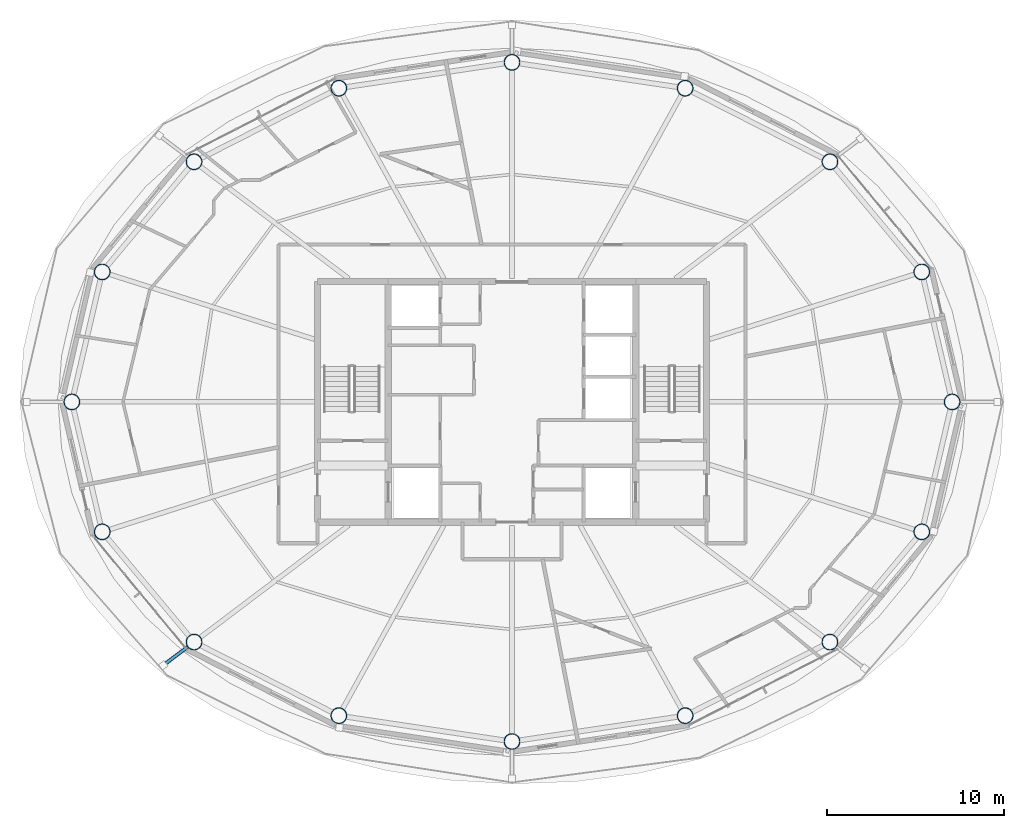
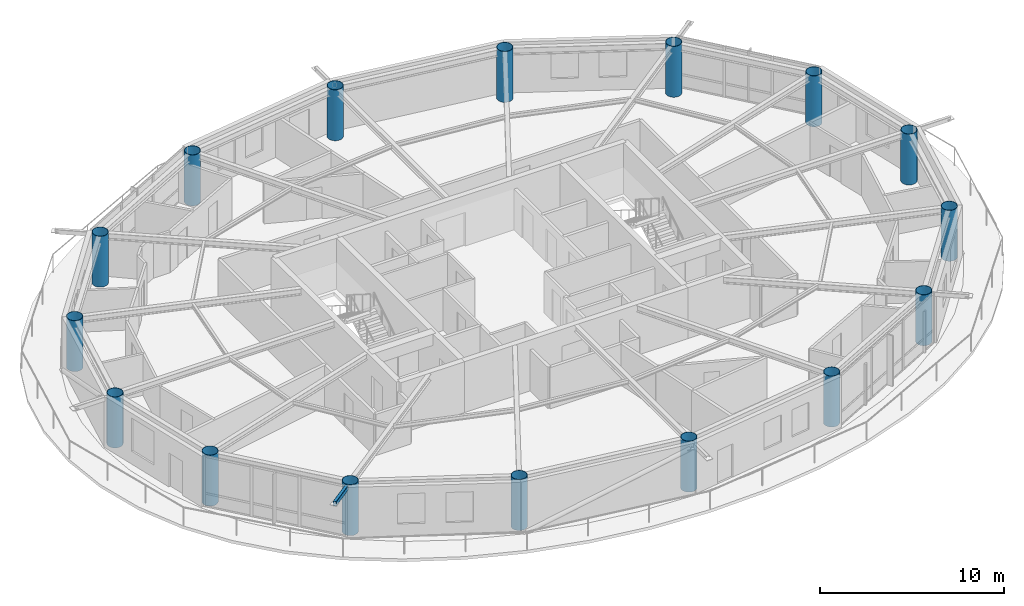
# One storey, part 1 of 21: 16 columns, 1 member.
"""IFC4 building model written with IfcOpenShell, lengths in metres."""

import ifcopenshell
import ifcopenshell.guid

model = None  # the IFC model being written
_history = None  # IfcOwnerHistory: only IFC2X3 demands one
_inside = {}  # id of a spatial element -> (the spatial element, [elements in it])
_under = {}  # id of a project, library or spatial element -> (it, [spatial elements below it])
_declared = {}  # id of a project -> (the project, [libraries it declares])
_typed = {}  # id of a type object -> (the type object, [elements of that type])
_made_of = {}  # id of a material, layer set ... -> (it, [elements and type objects made of it])


def new_model(schema):
    """Start an empty IFC model of exactly this schema.

    Asked for "IFC4X3", IfcOpenShell would pick the latest addendum, in which some entities
    have other attributes; the version numbers below select the first issue.
    IFC2X3 requires an IfcOwnerHistory on every rooted entity: one is made here for all.
    """
    global model, _history
    if schema == "IFC4X3":
        model = ifcopenshell.file(schema_version=(4, 3, 0, 0))
    else:
        model = ifcopenshell.file(schema=schema)
    _inside.clear()
    _under.clear()
    _declared.clear()
    _typed.clear()
    _made_of.clear()
    _history = None
    if model.schema == "IFC2X3":
        org = make("IfcOrganization", Name="unknown")
        user = make(
            "IfcPersonAndOrganization",
            ThePerson=make("IfcPerson", FamilyName="unknown"),
            TheOrganization=org,
        )
        app = make(
            "IfcApplication",
            ApplicationDeveloper=org,
            Version="unknown",
            ApplicationFullName="unknown",
            ApplicationIdentifier="unknown",
        )
        _history = make(
            "IfcOwnerHistory",
            OwningUser=user,
            OwningApplication=app,
            ChangeAction="ADDED",
            CreationDate=0,
        )
    return model


def make(cls, **values):
    """One entity of the class cls with the attributes given. An attribute that is None is left unset."""
    return model.create_entity(
        cls, **{name: value for name, value in values.items() if value is not None}
    )


def rooted(cls, **values):
    """An entity with a GlobalId (a new one), such as an element, a storey or a relation."""
    return make(cls, GlobalId=ifcopenshell.guid.new(), OwnerHistory=_history, **values)


def si_unit(unit_type, name, prefix=None):
    """IfcSIUnit, for example si_unit("LENGTHUNIT", "METRE", prefix="MILLI")."""
    return make("IfcSIUnit", UnitType=unit_type, Prefix=prefix, Name=name)


def assignment(units):
    """IfcUnitAssignment: the units of a project."""
    return None if units is None else make("IfcUnitAssignment", Units=units)


def point(xyz):
    """IfcCartesianPoint."""
    return None if xyz is None else make("IfcCartesianPoint", Coordinates=xyz)


def direction(xyz):
    """IfcDirection."""
    return None if xyz is None else make("IfcDirection", DirectionRatios=xyz)


def frame(location, z_axis=None, x_axis=None):
    """IfcAxis2Placement3D, a coordinate frame: its origin and axes. An axis left out is left unset."""
    return make(
        "IfcAxis2Placement3D",
        Location=point(location),
        Axis=direction(z_axis),
        RefDirection=direction(x_axis),
    )


def frame_2d(location, x_axis=None):
    """IfcAxis2Placement2D, a coordinate frame in the plane: its origin and x axis."""
    return make(
        "IfcAxis2Placement2D", Location=point(location), RefDirection=direction(x_axis)
    )


def origin():
    """The frame at (0, 0, 0) with its axes left unset."""
    return frame((0.0, 0.0, 0.0))


def origin_2d():
    """The frame at (0, 0) in the plane with its x axis left unset."""
    return frame_2d((0.0, 0.0))


def place(relative_to, where):
    """IfcLocalPlacement: puts the frame where relative to a parent placement (None: the world)."""
    return make(
        "IfcLocalPlacement", PlacementRelTo=relative_to, RelativePlacement=where
    )


def context(
    kind, dimensions, precision=None, world=None, true_north=None, identifier=None
):
    """IfcGeometricRepresentationContext, for example the 3D "Model" context."""
    return make(
        "IfcGeometricRepresentationContext",
        ContextIdentifier=identifier,
        ContextType=kind,
        CoordinateSpaceDimension=dimensions,
        Precision=precision,
        WorldCoordinateSystem=world,
        TrueNorth=true_north,
    )


def subcontext(parent, identifier, kind, view, scale=None):
    """IfcGeometricRepresentationSubContext, for example "Body" below "Model"."""
    return make(
        "IfcGeometricRepresentationSubContext",
        ContextIdentifier=identifier,
        ContextType=kind,
        ParentContext=parent,
        TargetScale=scale,
        TargetView=view,
    )


def project(units=None, contexts=None):
    """IfcProject with its units and contexts."""
    return rooted(
        "IfcProject",
        Name="project",
        RepresentationContexts=contexts,
        UnitsInContext=assignment(units),
    )


def spatial(cls, under=None, at=None, **own):
    """A site, building, storey or space (cls), placed at a placement, below another one or the project."""
    s = rooted(cls, ObjectPlacement=at, **own)
    if under is not None:
        _under.setdefault(under.id(), (under, []))[1].append(s)
    return s


def profile(cls, at=None, kind="AREA", **sizes):
    """A parametric profile (cls). Its sizes go by their IFC names, for example OverallWidth=200.0."""
    return make(cls, ProfileType=kind, Position=at, **sizes)


def hollow_rectangle(**sizes):
    """IfcRectangleHollowProfileDef."""
    return profile("IfcRectangleHollowProfileDef", **sizes)


def hollow_circle(**sizes):
    """IfcCircleHollowProfileDef."""
    return profile("IfcCircleHollowProfileDef", **sizes)


def extrude(swept, where, along, depth):
    """IfcExtrudedAreaSolid: the profile swept, set in the frame where, extruded along a direction by depth."""
    return make(
        "IfcExtrudedAreaSolid",
        SweptArea=swept,
        Position=where,
        ExtrudedDirection=direction(along),
        Depth=depth,
    )


def shape(context_of_items, identifier, shape_type, items):
    """IfcShapeRepresentation: the items that make up one representation, for example the "Body"."""
    return make(
        "IfcShapeRepresentation",
        ContextOfItems=context_of_items,
        RepresentationIdentifier=identifier,
        RepresentationType=shape_type,
        Items=items,
    )


def material(Name=None, Category=None):
    """IfcMaterial."""
    return make("IfcMaterial", Name=Name, Category=Category)


def material_profile(
    of_material, cross_section, Name=None, Category=None, Priority=None
):
    """IfcMaterialProfile: a cross section and its material."""
    return make(
        "IfcMaterialProfile",
        Name=Name,
        Material=of_material,
        Profile=cross_section,
        Priority=Priority,
        Category=Category,
    )


def profile_set(profiles, Name=None, composite=None):
    """IfcMaterialProfileSet."""
    return make(
        "IfcMaterialProfileSet",
        Name=Name,
        MaterialProfiles=profiles,
        CompositeProfile=composite,
    )


def made_of(thing, what):
    """Note that an element or type object is made of a material, layer set ...; save() writes the relation."""
    if what is not None:
        _made_of.setdefault(what.id(), (what, []))[1].append(thing)
    return thing


def type_object(cls, material=None, **own):
    """A type object (cls), such as IfcWallType, which elements share."""
    return made_of(rooted(cls, **own), material)


def element(
    cls,
    number,
    at=None,
    inside=None,
    cuts=None,
    type_object=None,
    material=None,
    context=None,
    identifier="Body",
    shape_type=None,
    held_by="IfcProductDefinitionShape",
    body=None,
    shapes=None,
    **own,
):
    """One element of the class cls, such as IfcWall. Its Tag is "e" and its number.

    at: its placement. inside: the storey or other place that contains it. cuts: it is an
    opening in that element (IfcRelVoidsElement). A single representation is given by context,
    identifier, shape_type and body (its items); several are given by shapes. held_by: the class
    of the entity that holds the representations. save() writes the other relations.
    """
    e = rooted(cls, Tag="e%d" % number, ObjectPlacement=at, **own)
    if body is not None:
        shapes = [shape(context, identifier, shape_type, body)]
    if shapes is not None:
        e.Representation = make(held_by, Representations=shapes)
    if inside is not None:
        _inside.setdefault(inside.id(), (inside, []))[1].append(e)
    if cuts is not None:
        rooted(
            "IfcRelVoidsElement", RelatingBuildingElement=cuts, RelatedOpeningElement=e
        )
    if type_object is not None:
        _typed.setdefault(type_object.id(), (type_object, []))[1].append(e)
    return made_of(e, material)


def aggregate(whole, parts):
    """IfcRelAggregates: a whole, such as a stair, and the parts it consists of."""
    return rooted("IfcRelAggregates", RelatingObject=whole, RelatedObjects=parts)


def save(model, path):
    """Write the relations noted so far, then the file.

    IfcRelAggregates (storeys below a building ...), IfcRelContainedInSpatialStructure (elements
    in a storey), IfcRelDefinesByType, IfcRelAssociatesMaterial and IfcRelDeclares: one each for
    every whole, place, type object, material and project.
    """
    for whole, parts in _under.values():
        aggregate(whole, parts)
    for where, things in _inside.values():
        rooted(
            "IfcRelContainedInSpatialStructure",
            RelatedElements=things,
            RelatingStructure=where,
        )
    for kind, things in _typed.values():
        rooted("IfcRelDefinesByType", RelatedObjects=things, RelatingType=kind)
    for what, things in _made_of.values():
        rooted("IfcRelAssociatesMaterial", RelatedObjects=things, RelatingMaterial=what)
    for by, libraries in _declared.values():
        rooted("IfcRelDeclares", RelatingContext=by, RelatedDefinitions=libraries)
    model.write(path)


model = new_model("IFC4")

# Units and contexts
model_context = context("Model", 3, precision=1e-05, world=origin(), true_north=direction((0.0, 1.0)))
body_context = subcontext(model_context, "Body", "Model", "MODEL_VIEW")
ifc_project = project(units=[si_unit("LENGTHUNIT", "METRE"), si_unit("AREAUNIT", "SQUARE_METRE"), si_unit("VOLUMEUNIT", "CUBIC_METRE"), si_unit("PLANEANGLEUNIT", "RADIAN"), si_unit("MASSUNIT", "GRAM", prefix="KILO")], contexts=[model_context])

# Site, building, storey
site_placement = place(None, origin())
site = spatial("IfcSite", under=ifc_project, at=site_placement, CompositionType="ELEMENT")
building_placement = place(site_placement, origin())
building = spatial("IfcBuilding", under=site, at=building_placement, Name="Sarneth Arch Tower", CompositionType="ELEMENT")
storey_placement = place(building_placement, frame((0.0, 0.0, 309.0)))
storey = spatial("IfcBuildingStorey", under=building, at=storey_placement, Name="L80", CompositionType="ELEMENT", Elevation=309.0)

# Columns
ifc_material_1 = material(Name="Steel S355", Category="steel")
ifc_material_profile_1 = material_profile(ifc_material_1, hollow_circle(Radius=0.449951171875, WallThickness=0.02490234375, at=origin_2d()), Name="CHS900x25")
ifc_profile_set_1 = profile_set([ifc_material_profile_1], Name="Steel S355")
column_type = type_object("IfcColumnType", Name="COL-MEGA-900", PredefinedType="COLUMN", material=ifc_profile_set_1)
for number, where, z_axis, x_axis, name in (
    (1, (72.88330078125, 42.0, 0.0), (0.0, 0.0, 1.0), (1.0, 0.0, 0.0), "L80 Perimeter mega-column M01"),
    (2, (71.1689453125, 49.347412109375, 0.0), (0.0, 0.0, 1.0), (1.0, 0.0, 0.0), "L80 Perimeter mega-column M02"),
    (3, (65.975341796875, 55.576416015625, 0.0), (0.0, 0.0, 1.0), (1.0, 0.0, 0.0), "L80 Perimeter mega-column M03"),
    (4, (57.790771484375, 59.738525390625, 0.0), (0.0, 0.0, 1.0), (1.0, 0.0, 0.0), "L80 Perimeter mega-column M04"),
    (5, (48.0, 61.199951171875, 0.0), (0.0, 0.0, 1.0), (1.0, 0.0, 0.0), "L80 Perimeter mega-column M05"),
    (6, (38.209228515625, 59.738525390625, 0.0), (0.0, 0.0, 1.0), (1.0, 0.0, 0.0), "L80 Perimeter mega-column M06"),
    (7, (30.024658203125, 55.576416015625, 0.0), (0.0, 0.0, 1.0), (1.0, 0.0, 0.0), "L80 Perimeter mega-column M07"),
    (8, (24.8310546875, 49.347412109375, 0.0), (0.0, 0.0, 1.0), (1.0, 0.0, 0.0), "L80 Perimeter mega-column M08"),
    (9, (23.11669921875, 42.0, 0.0), (0.0, 0.0, 1.0), (1.0, 0.0, 0.0), "L80 Perimeter mega-column M09"),
    (10, (24.8310546875, 34.652587890625, 0.0), (0.0, 0.0, 1.0), (1.0, 0.0, 0.0), "L80 Perimeter mega-column M10"),
    (11, (30.024658203125, 28.423583984375, 0.0), (0.0, 0.0, 1.0), (1.0, 0.0, 0.0), "L80 Perimeter mega-column M11"),
    (12, (38.209228515625, 24.261474609375, 0.0), (0.0, 0.0, 1.0), (1.0, 0.0, 0.0), "L80 Perimeter mega-column M12"),
    (13, (48.0, 22.800048828125, 0.0), (0.0, 0.0, 1.0), (1.0, 0.0, 0.0), "L80 Perimeter mega-column M13"),
    (14, (57.790771484375, 24.261474609375, 0.0), (0.0, 0.0, 1.0), (1.0, 0.0, 0.0), "L80 Perimeter mega-column M14"),
    (15, (65.975341796875, 28.423583984375, 0.0), (0.0, 0.0, 1.0), (1.0, 0.0, 0.0), "L80 Perimeter mega-column M15"),
    (16, (71.1689453125, 34.652587890625, 0.0), (0.0, 0.0, 1.0), (1.0, 0.0, 0.0), "L80 Perimeter mega-column M16"),
):
    element("IfcColumn", number, at=place(storey_placement, frame(where, z_axis=z_axis, x_axis=x_axis)), inside=storey, type_object=column_type, Name=name, PredefinedType="COLUMN", context=body_context, shape_type="SweptSolid", body=[
        extrude(hollow_circle(Radius=0.449951171875, WallThickness=0.02490234375, at=origin_2d()), origin(), (0.0, 0.0, 1.0), 3.3701171875),
    ])

# Member
ifc_material_2 = material(Name="Steel S355", Category="steel")
ifc_material_profile_2 = material_profile(ifc_material_2, hollow_rectangle(XDim=0.199951171875, YDim=0.300048828125, WallThickness=0.012451171875, InnerFilletRadius=0.018798828125, OuterFilletRadius=0.03125, at=origin_2d()), Name="RHS300x200x12.5")
ifc_profile_set_2 = profile_set([ifc_material_profile_2], Name="Steel S355")
member_type = type_object("IfcMemberType", Name="MEM-CANT-STRUT", PredefinedType="STRUT", material=ifc_profile_set_2)
member_placement = place(storey_placement, frame((29.665771484375, 28.15234375, 3.2099609375), z_axis=(-0.797962382374, -0.602707255901, 0.0), x_axis=(0.602707255901, -0.797962382374, 0.0)))
element("IfcMember", 17, at=member_placement, inside=storey, type_object=member_type, Name="L80 Balcony cantilever bracket 11", PredefinedType="STRUT", context=body_context, shape_type="SweptSolid", body=[
    extrude(hollow_rectangle(XDim=0.199951171875, YDim=0.300048828125, WallThickness=0.012451171875, InnerFilletRadius=0.018798828125, OuterFilletRadius=0.03125, at=origin_2d()), origin(), (0.0, 0.0, 1.0), 1.729248046875),
])

save(model, "model.ifc")
